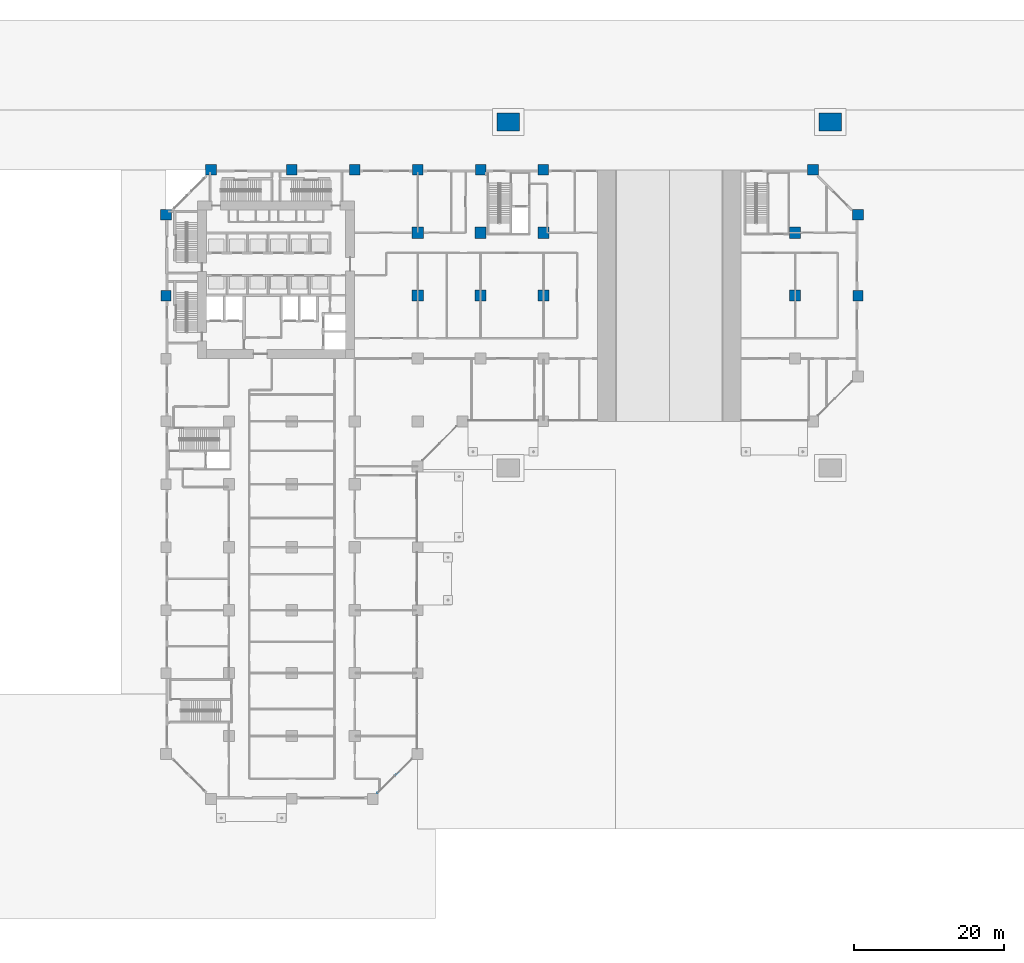
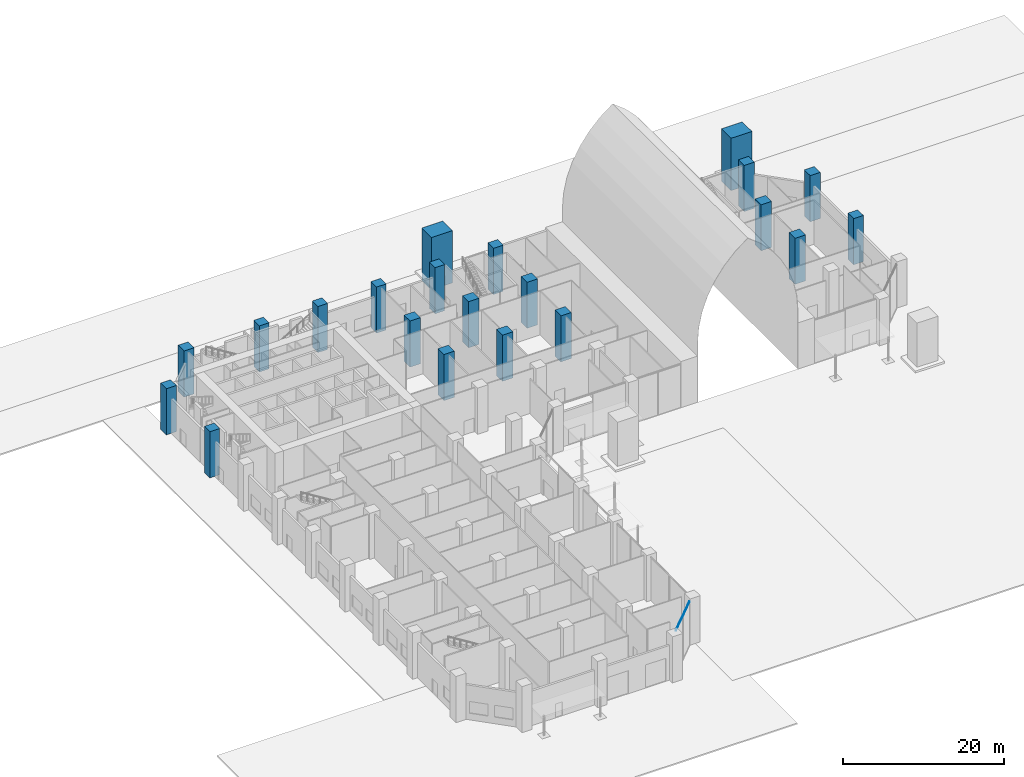
# One storey, part 9 of 32: 21 columns, 1 member, 1 element without a shape of its own.
"""IFC4 building model written with IfcOpenShell, lengths in metres."""

from ifc_helpers import new_model, si_unit, direction, frame, origin, origin_2d, place, context, subcontext, project, spatial, rectangle, extrude, material, layer, layer_set, material_profile, profile_set, type_object, element, aggregate, save


model = new_model("IFC4")

# Units and contexts
model_context = context("Model", 3, precision=1e-05, world=origin(), true_north=direction((0.0, 1.0)))
body_context = subcontext(model_context, "Body", "Model", "MODEL_VIEW")
ifc_project = project(units=[si_unit("LENGTHUNIT", "METRE"), si_unit("AREAUNIT", "SQUARE_METRE"), si_unit("VOLUMEUNIT", "CUBIC_METRE"), si_unit("PLANEANGLEUNIT", "RADIAN"), si_unit("MASSUNIT", "GRAM", prefix="KILO")], contexts=[model_context])

# Site, building, storey
site_placement = place(None, origin())
site = spatial("IfcSite", under=ifc_project, at=site_placement, CompositionType="ELEMENT")
building_placement = place(site_placement, origin())
building = spatial("IfcBuilding", under=site, at=building_placement, Name="Kawkab Arch Medical Tower", CompositionType="ELEMENT")
storey_placement = place(building_placement, origin())
storey = spatial("IfcBuildingStorey", under=building, at=storey_placement, Name="L01", CompositionType="ELEMENT", Elevation=0.0)

# Columns
ifc_material_1 = material(Name="Concrete C60/75", Category="concrete")
ifc_material_profile_1 = material_profile(ifc_material_1, rectangle(XDim=1.39990234375, YDim=1.39990234375, at=origin_2d()), Name="RC 1400x1400")
ifc_profile_set_1 = profile_set([ifc_material_profile_1], Name="Concrete C60/75")
column_type_1 = type_object("IfcColumnType", Name="RC 1400x1400 column C60/75", PredefinedType="COLUMN", material=ifc_profile_set_1)
for number, where, z_axis, x_axis, name in (
    (1, (16.800048828125, 0.0, 0.0), (0.0, 0.0, 1.0), (1.0, 0.0, 0.0), "Column RC 1400x1400"),
    (2, (25.199951171875, 0.0, 0.0), (0.0, 0.0, 1.0), (1.0, 0.0, 0.0), "Column RC 1400x1400"),
    (3, (33.60009765625, 0.0, 0.0), (0.0, 0.0, 1.0), (1.0, 0.0, 0.0), "Column RC 1400x1400"),
    (4, (42.0, 0.0, 0.0), (0.0, 0.0, 1.0), (1.0, 0.0, 0.0), "Column RC 1400x1400"),
    (5, (50.39990234375, 0.0, 0.0), (0.0, 0.0, 1.0), (1.0, 0.0, 0.0), "Column RC 1400x1400"),
    (6, (0.0, -16.800048828125, 0.0), (0.0, 0.0, 1.0), (1.0, 0.0, 0.0), "Column RC 1400x1400"),
    (7, (92.39990234375, -16.800048828125, 0.0), (0.0, 0.0, 1.0), (1.0, 0.0, 0.0), "Column RC 1400x1400"),
):
    element("IfcColumn", number, at=place(storey_placement, frame(where, z_axis=z_axis, x_axis=x_axis)), inside=storey, type_object=column_type_1, Name=name, PredefinedType="COLUMN", context=body_context, shape_type="SweptSolid", body=[
        extrude(rectangle(XDim=1.39990234375, YDim=1.39990234375, at=origin_2d()), origin(), (0.0, 0.0, 1.0), 7.0),
    ])
ifc_material_2 = material(Name="Concrete C60/75", Category="concrete")
ifc_material_profile_2 = material_profile(ifc_material_2, rectangle(XDim=1.449951171875, YDim=1.449951171875, at=origin_2d()), Name="RC 1450x1450")
ifc_profile_set_2 = profile_set([ifc_material_profile_2], Name="Concrete C60/75")
column_type_2 = type_object("IfcColumnType", Name="RC 1450x1450 column C60/75", PredefinedType="COLUMN", material=ifc_profile_set_2)
for number, where, z_axis, x_axis, name in (
    (8, (6.0, 0.0, 0.0), (0.0, 0.0, 1.0), (1.0, 0.0, 0.0), "Column RC 1450x1450"),
    (9, (86.39990234375, 0.0, 0.0), (0.0, 0.0, 1.0), (1.0, 0.0, 0.0), "Column RC 1450x1450"),
    (10, (0.0, -6.0, 0.0), (0.0, 0.0, 1.0), (1.0, 0.0, 0.0), "Column RC 1450x1450"),
    (11, (92.39990234375, -6.0, 0.0), (0.0, 0.0, 1.0), (1.0, 0.0, 0.0), "Column RC 1450x1450"),
):
    element("IfcColumn", number, at=place(storey_placement, frame(where, z_axis=z_axis, x_axis=x_axis)), inside=storey, type_object=column_type_2, Name=name, PredefinedType="COLUMN", context=body_context, shape_type="SweptSolid", body=[
        extrude(rectangle(XDim=1.449951171875, YDim=1.449951171875, at=origin_2d()), origin(), (0.0, 0.0, 1.0), 7.0),
    ])
ifc_material_3 = material(Name="Concrete C60/75", Category="concrete")
ifc_material_profile_3 = material_profile(ifc_material_3, rectangle(XDim=1.5, YDim=1.5, at=origin_2d()), Name="RC 1500x1500")
ifc_profile_set_3 = profile_set([ifc_material_profile_3], Name="Concrete C60/75")
column_type_3 = type_object("IfcColumnType", Name="RC 1500x1500 column C60/75", PredefinedType="COLUMN", material=ifc_profile_set_3)
for number, where, z_axis, x_axis, name in (
    (12, (33.60009765625, -8.39990234375, 0.0), (0.0, 0.0, 1.0), (1.0, 0.0, 0.0), "Column RC 1500x1500"),
    (13, (42.0, -8.39990234375, 0.0), (0.0, 0.0, 1.0), (1.0, 0.0, 0.0), "Column RC 1500x1500"),
    (14, (50.39990234375, -8.39990234375, 0.0), (0.0, 0.0, 1.0), (1.0, 0.0, 0.0), "Column RC 1500x1500"),
    (15, (84.0, -8.39990234375, 0.0), (0.0, 0.0, 1.0), (1.0, 0.0, 0.0), "Column RC 1500x1500"),
    (16, (33.60009765625, -16.800048828125, 0.0), (0.0, 0.0, 1.0), (1.0, 0.0, 0.0), "Column RC 1500x1500"),
    (17, (42.0, -16.800048828125, 0.0), (0.0, 0.0, 1.0), (1.0, 0.0, 0.0), "Column RC 1500x1500"),
    (18, (50.39990234375, -16.800048828125, 0.0), (0.0, 0.0, 1.0), (1.0, 0.0, 0.0), "Column RC 1500x1500"),
    (19, (84.0, -16.800048828125, 0.0), (0.0, 0.0, 1.0), (1.0, 0.0, 0.0), "Column RC 1500x1500"),
):
    element("IfcColumn", number, at=place(storey_placement, frame(where, z_axis=z_axis, x_axis=x_axis)), inside=storey, type_object=column_type_3, Name=name, PredefinedType="COLUMN", context=body_context, shape_type="SweptSolid", body=[
        extrude(rectangle(XDim=1.5, YDim=1.5, at=origin_2d()), origin(), (0.0, 0.0, 1.0), 7.0),
    ])
ifc_material_4 = material(Name="Concrete C60/75", Category="concrete")
ifc_material_profile_4 = material_profile(ifc_material_4, rectangle(XDim=3.0, YDim=2.39990234375, at=origin_2d()), Name="RC 3000x2400")
ifc_profile_set_4 = profile_set([ifc_material_profile_4], Name="Concrete C60/75")
column_type_4 = type_object("IfcColumnType", Name="RC 3000x2400 column C60/75", PredefinedType="COLUMN", material=ifc_profile_set_4)
for number, where, z_axis, x_axis, name in (
    (20, (45.699951171875, 6.39990234375, -0.949951171875), (0.0, 0.0, 1.0), (1.0, 0.0, 0.0), "Portal arch leg"),
    (21, (88.699951171875, 6.39990234375, -0.949951171875), (0.0, 0.0, 1.0), (1.0, 0.0, 0.0), "Portal arch leg"),
):
    element("IfcColumn", number, at=place(storey_placement, frame(where, z_axis=z_axis, x_axis=x_axis)), inside=storey, type_object=column_type_4, Name=name, PredefinedType="COLUMN", context=body_context, shape_type="SweptSolid", body=[
        extrude(rectangle(XDim=3.0, YDim=2.39990234375, at=origin_2d()), origin(), (0.0, 0.0, 1.0), 7.949951171875),
    ])

# Curtain wall, member
ifc_material_5 = material(Name="Bronze anodised aluminium curtain wall frame", Category="aluminium")
ifc_layer = layer(ifc_material_5, 0.159912109375)
ifc_layer_set = layer_set([ifc_layer], Name="Bronze anodised aluminium curtain wall frame")
curtain_wall_type = type_object("IfcCurtainWallType", Name="CW5 podium green glass curtain wall", PredefinedType="NOTDEFINED", material=ifc_layer_set)
curtain_wall_placement = place(storey_placement, origin())
curtain_wall = element("IfcCurtainWall", 22, at=curtain_wall_placement, inside=storey, type_object=curtain_wall_type, Name="CW5 Podium green glass curtain wall R01", PredefinedType="NOTDEFINED")
ifc_material_6 = material(Name="Bronze anodised aluminium curtain wall frame", Category="aluminium")
ifc_material_profile_5 = material_profile(ifc_material_6, rectangle(XDim=0.06005859375, YDim=0.139892578125, at=origin_2d()), Name="AL 60x140")
ifc_profile_set_5 = profile_set([ifc_material_profile_5], Name="Bronze anodised aluminium curtain wall frame")
member_type = type_object("IfcMemberType", Name="CW5 transom 140 x 60", PredefinedType="USERDEFINED", material=ifc_profile_set_5)
member_placement = place(storey_placement, frame((28.25439453125, -83.204345703125, 6.580078125), z_axis=(0.707087809913, 0.707125751951, 0.0), x_axis=(-0.707125751951, 0.707087809913, 0.0)))
member = element("IfcMember", 23, at=member_placement, type_object=member_type, Name="CW5 transom 1", ObjectType="TRANSOM", PredefinedType="USERDEFINED", context=body_context, shape_type="SweptSolid", body=[
    extrude(rectangle(XDim=0.06005859375, YDim=0.139892578125, at=origin_2d()), origin(), (0.0, 0.0, 1.0), 6.4345703125),
])
aggregate(curtain_wall, [member])

save(model, "model.ifc")
